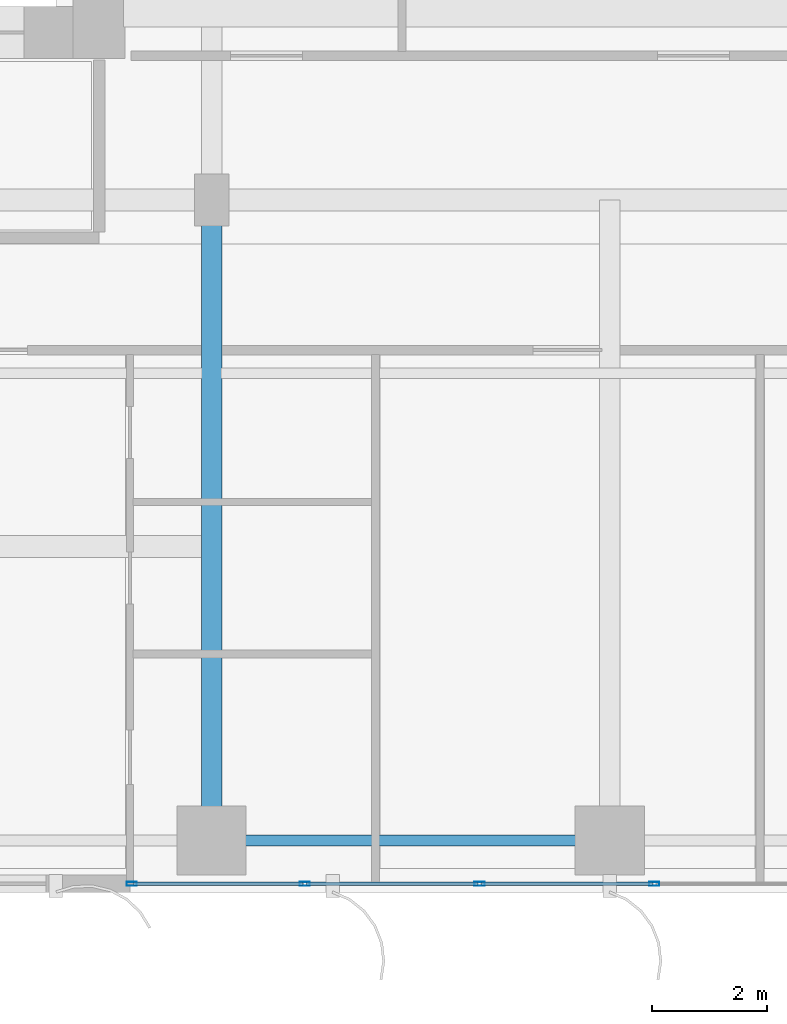
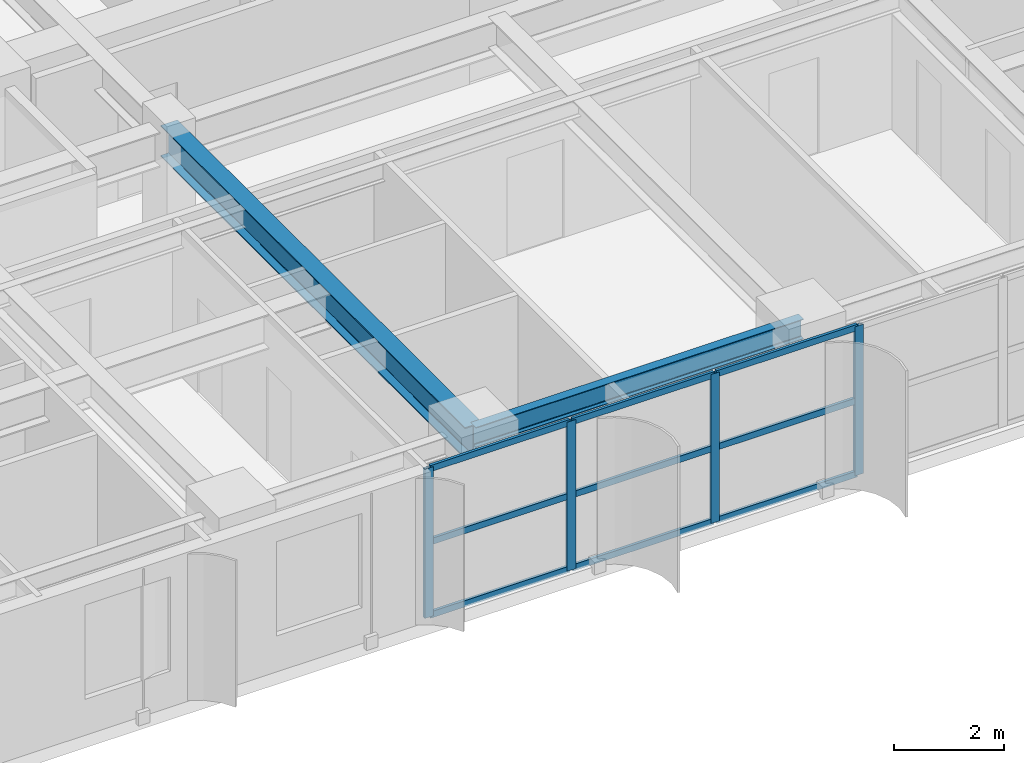
# One storey, part 2 of 23: 13 members, 2 beams, 1 element without a shape of its own.
"""IFC4 building model written with IfcOpenShell, lengths in metres."""

from ifc_helpers import new_model, si_unit, direction, frame, origin, origin_2d, place, context, subcontext, project, spatial, hollow_rectangle, i_section, extrude, source, transform, mapped, material, layer, layer_set, material_profile, profile_set, type_object, element, aggregate, save


model = new_model("IFC4")

# Units and contexts
model_context = context("Model", 3, precision=1e-05, world=origin(), true_north=direction((0.0, 1.0)))
body_context = subcontext(model_context, "Body", "Model", "MODEL_VIEW")
ifc_project = project(units=[si_unit("LENGTHUNIT", "METRE"), si_unit("AREAUNIT", "SQUARE_METRE"), si_unit("VOLUMEUNIT", "CUBIC_METRE"), si_unit("PLANEANGLEUNIT", "RADIAN"), si_unit("MASSUNIT", "GRAM", prefix="KILO")], contexts=[model_context])

# Site, building, storey
site_placement = place(None, origin())
site = spatial("IfcSite", under=ifc_project, at=site_placement, CompositionType="ELEMENT")
building_placement = place(site_placement, origin())
building = spatial("IfcBuilding", under=site, at=building_placement, Name="Khoralis Quay Care Tower", CompositionType="ELEMENT")
storey_placement = place(building_placement, frame((0.0, 0.0, 36.89990234375)))
storey = spatial("IfcBuildingStorey", under=building, at=storey_placement, Name="L09", CompositionType="ELEMENT", Elevation=36.89990234375)

# Beams
ifc_material_1 = material(Name="Steel S355", Category="steel")
ifc_material_profile_1 = material_profile(ifc_material_1, i_section(OverallWidth=0.18994140625, OverallDepth=0.449951171875, WebThickness=0.009521484375, FlangeThickness=0.0146484375, FilletRadius=0.02099609375, at=origin_2d()), Name="Steel S355")
ifc_profile_set_1 = profile_set([ifc_material_profile_1], Name="Steel S355")
beam_type_1 = type_object("IfcBeamType", Name="BM-IPE450", PredefinedType="SPANDREL", material=ifc_profile_set_1)
shared_shape_1 = source(origin(), body_context, "Body", "SweptSolid", [
    extrude(i_section(OverallWidth=0.18994140625, OverallDepth=0.449951171875, WebThickness=0.009521484375, FlangeThickness=0.0146484375, FilletRadius=0.02099609375, at=origin_2d()), origin(), (0.0, 0.0, 1.0), 6.89990234375),
])
beam_1_placement = place(storey_placement, frame((17.10009765625, 0.89990234375, 3.09521484375), z_axis=(1.0, 0.0, 0.0), x_axis=(0.0, 1.0, 0.0)))
element("IfcBeam", 1, at=beam_1_placement, inside=storey, type_object=beam_type_1, Name="BM-TSP-L09-03", PredefinedType="SPANDREL", context=body_context, shape_type="MappedRepresentation", body=[
    mapped(shared_shape_1, transform((0.0, 0.0, 0.0), scale=1.0)),
])
ifc_material_profile_2 = material_profile(ifc_material_1, i_section(OverallWidth=0.35498046875, OverallDepth=0.695068359375, WebThickness=0.015380859375, FlangeThickness=0.02490234375, FilletRadius=0.02001953125, at=origin_2d()), Name="Steel S355")
ifc_profile_set_2 = profile_set([ifc_material_profile_2], Name="Steel S355")
beam_type_2 = type_object("IfcBeamType", Name="BM-W690X217", PredefinedType="BEAM", material=ifc_profile_set_2)
shared_shape_2 = source(origin(), body_context, "Body", "SweptSolid", [
    extrude(i_section(OverallWidth=0.35498046875, OverallDepth=0.695068359375, WebThickness=0.015380859375, FlangeThickness=0.02490234375, FilletRadius=0.02001953125, at=origin_2d()), origin(), (0.0, 0.0, 1.0), 11.10009765625),
])
beam_2_placement = place(storey_placement, frame((17.10009765625, 0.89990234375, 2.97265625), z_axis=(0.0, 1.0, 0.0), x_axis=(-1.0, 0.0, 0.0)))
element("IfcBeam", 2, at=beam_2_placement, inside=storey, type_object=beam_type_2, Name="BM-TGYS-L09-171", PredefinedType="BEAM", context=body_context, shape_type="MappedRepresentation", body=[
    mapped(shared_shape_2, transform((0.0, 0.0, 0.0), scale=1.0)),
])

# Curtain wall, members
ifc_material_2 = material(Name="Pale anodised aluminium", Category="aluminium")
ifc_layer = layer(ifc_material_2, 0.179931640625)
ifc_layer_set = layer_set([ifc_layer], Name="Pale anodised aluminium")
curtain_wall_type = type_object("IfcCurtainWallType", Name="CW-SYS-Z1", PredefinedType="NOTDEFINED", material=ifc_layer_set)
curtain_wall_placement = place(storey_placement, origin())
curtain_wall = element("IfcCurtainWall", 3, at=curtain_wall_placement, inside=storey, type_object=curtain_wall_type, Name="L09 Unitised Curtain Wall CW-L09-P1-E0", PredefinedType="NOTDEFINED")
ifc_material_profile_3 = material_profile(ifc_material_2, hollow_rectangle(XDim=0.06494140625, YDim=0.179931640625, WallThickness=0.00390625, at=origin_2d()), Name="Pale anodised aluminium")
ifc_profile_set_3 = profile_set([ifc_material_profile_3], Name="Pale anodised aluminium")
member_type_1 = type_object("IfcMemberType", Name="CW-MUL-180", PredefinedType="MULLION", material=ifc_profile_set_3)
shared_shape_3 = source(origin(), body_context, "Body", "SweptSolid", [
    extrude(hollow_rectangle(XDim=0.06494140625, YDim=0.179931640625, WallThickness=0.00390625, at=origin_2d()), origin(), (0.0, 0.0, 1.0), 3.320068359375),
])
member_1_placement = place(storey_placement, frame((15.717041015625, 0.14990234375, 0.0), z_axis=(0.0, 0.0, 1.0), x_axis=(0.0, 1.0, 0.0)))
member_1 = element("IfcMember", 4, at=member_1_placement, type_object=member_type_1, Name="CW1 mullion 1", PredefinedType="MULLION", context=body_context, shape_type="MappedRepresentation", body=[
    mapped(shared_shape_3, transform((0.0, 0.0, 0.0), scale=1.0)),
])
member_2_placement = place(storey_placement, frame((18.715087890625, 0.14990234375, 0.0), z_axis=(0.0, 0.0, 1.0), x_axis=(0.0, 1.0, 0.0)))
member_2 = element("IfcMember", 5, at=member_2_placement, type_object=member_type_1, Name="CW1 mullion 2", PredefinedType="MULLION", context=body_context, shape_type="MappedRepresentation", body=[
    mapped(shared_shape_3, transform((0.0, 0.0, 0.0), scale=1.0)),
])
member_3_placement = place(storey_placement, frame((21.743408203125, 0.14990234375, 0.0), z_axis=(0.0, 0.0, 1.0), x_axis=(0.0, 1.0, 0.0)))
member_3 = element("IfcMember", 6, at=member_3_placement, type_object=member_type_1, Name="CW1 mullion 3", PredefinedType="MULLION", context=body_context, shape_type="MappedRepresentation", body=[
    mapped(shared_shape_3, transform((0.0, 0.0, 0.0), scale=1.0)),
])
member_4_placement = place(storey_placement, frame((24.771484375, 0.14990234375, 0.0), z_axis=(0.0, 0.0, 1.0), x_axis=(0.0, 1.0, 0.0)))
member_4 = element("IfcMember", 7, at=member_4_placement, type_object=member_type_1, Name="CW1 mullion 4", PredefinedType="MULLION", context=body_context, shape_type="MappedRepresentation", body=[
    mapped(shared_shape_3, transform((0.0, 0.0, 0.0), scale=1.0)),
])
ifc_material_profile_4 = material_profile(ifc_material_2, hollow_rectangle(XDim=0.06005859375, YDim=0.139892578125, WallThickness=0.00390625, at=origin_2d()), Name="Pale anodised aluminium")
ifc_profile_set_4 = profile_set([ifc_material_profile_4], Name="Pale anodised aluminium")
member_type_2 = type_object("IfcMemberType", Name="CW-TRN-140", PredefinedType="USERDEFINED", material=ifc_profile_set_4)
shared_shape_4 = source(origin(), body_context, "Body", "SweptSolid", [
    extrude(hollow_rectangle(XDim=0.06005859375, YDim=0.139892578125, WallThickness=0.00390625, at=origin_2d()), origin(), (0.0, 0.0, 1.0), 2.938232421875),
])
member_5_placement = place(storey_placement, frame((15.7470703125, 0.14990234375, 0.030029296875), z_axis=(1.0, 0.0, 0.0), x_axis=(0.0, 1.0, 0.0)))
member_5 = element("IfcMember", 8, at=member_5_placement, type_object=member_type_2, Name="CW1 transom 1.1", ObjectType="TRANSOM", PredefinedType="USERDEFINED", context=body_context, shape_type="MappedRepresentation", body=[
    mapped(shared_shape_4, transform((0.0, 0.0, 0.0), scale=1.0)),
])
member_6_placement = place(storey_placement, frame((15.7470703125, 0.14990234375, 1.66015625), z_axis=(1.0, 0.0, 0.0), x_axis=(0.0, 1.0, 0.0)))
member_6 = element("IfcMember", 9, at=member_6_placement, type_object=member_type_2, Name="CW1 transom 1.2", ObjectType="TRANSOM", PredefinedType="USERDEFINED", context=body_context, shape_type="MappedRepresentation", body=[
    mapped(shared_shape_4, transform((0.0, 0.0, 0.0), scale=1.0)),
])
member_7_placement = place(storey_placement, frame((15.7470703125, 0.14990234375, 3.2900390625), z_axis=(1.0, 0.0, 0.0), x_axis=(0.0, 1.0, 0.0)))
member_7 = element("IfcMember", 10, at=member_7_placement, type_object=member_type_2, Name="CW1 transom 1.3", ObjectType="TRANSOM", PredefinedType="USERDEFINED", context=body_context, shape_type="MappedRepresentation", body=[
    mapped(shared_shape_4, transform((0.0, 0.0, 0.0), scale=1.0)),
])
shared_shape_5 = source(origin(), body_context, "Body", "SweptSolid", [
    extrude(hollow_rectangle(XDim=0.06005859375, YDim=0.139892578125, WallThickness=0.00390625, at=origin_2d()), origin(), (0.0, 0.0, 1.0), 2.96826171875),
])
member_8_placement = place(storey_placement, frame((18.7451171875, 0.14990234375, 0.030029296875), z_axis=(1.0, 0.0, 0.0), x_axis=(0.0, 1.0, 0.0)))
member_8 = element("IfcMember", 11, at=member_8_placement, type_object=member_type_2, Name="CW1 transom 2.1", ObjectType="TRANSOM", PredefinedType="USERDEFINED", context=body_context, shape_type="MappedRepresentation", body=[
    mapped(shared_shape_5, transform((0.0, 0.0, 0.0), scale=1.0)),
])
member_9_placement = place(storey_placement, frame((18.7451171875, 0.14990234375, 1.66015625), z_axis=(1.0, 0.0, 0.0), x_axis=(0.0, 1.0, 0.0)))
member_9 = element("IfcMember", 12, at=member_9_placement, type_object=member_type_2, Name="CW1 transom 2.2", ObjectType="TRANSOM", PredefinedType="USERDEFINED", context=body_context, shape_type="MappedRepresentation", body=[
    mapped(shared_shape_5, transform((0.0, 0.0, 0.0), scale=1.0)),
])
member_10_placement = place(storey_placement, frame((18.7451171875, 0.14990234375, 3.2900390625), z_axis=(1.0, 0.0, 0.0), x_axis=(0.0, 1.0, 0.0)))
member_10 = element("IfcMember", 13, at=member_10_placement, type_object=member_type_2, Name="CW1 transom 2.3", ObjectType="TRANSOM", PredefinedType="USERDEFINED", context=body_context, shape_type="MappedRepresentation", body=[
    mapped(shared_shape_5, transform((0.0, 0.0, 0.0), scale=1.0)),
])
member_11_placement = place(storey_placement, frame((21.7734375, 0.14990234375, 0.030029296875), z_axis=(1.0, 0.0, 0.0), x_axis=(0.0, 1.0, 0.0)))
member_11 = element("IfcMember", 14, at=member_11_placement, type_object=member_type_2, Name="CW1 transom 3.1", ObjectType="TRANSOM", PredefinedType="USERDEFINED", context=body_context, shape_type="MappedRepresentation", body=[
    mapped(shared_shape_5, transform((0.0, 0.0, 0.0), scale=1.0)),
])
member_12_placement = place(storey_placement, frame((21.7734375, 0.14990234375, 1.66015625), z_axis=(1.0, 0.0, 0.0), x_axis=(0.0, 1.0, 0.0)))
member_12 = element("IfcMember", 15, at=member_12_placement, type_object=member_type_2, Name="CW1 transom 3.2", ObjectType="TRANSOM", PredefinedType="USERDEFINED", context=body_context, shape_type="MappedRepresentation", body=[
    mapped(shared_shape_5, transform((0.0, 0.0, 0.0), scale=1.0)),
])
member_13_placement = place(storey_placement, frame((21.7734375, 0.14990234375, 3.2900390625), z_axis=(1.0, 0.0, 0.0), x_axis=(0.0, 1.0, 0.0)))
member_13 = element("IfcMember", 16, at=member_13_placement, type_object=member_type_2, Name="CW1 transom 3.3", ObjectType="TRANSOM", PredefinedType="USERDEFINED", context=body_context, shape_type="MappedRepresentation", body=[
    mapped(shared_shape_5, transform((0.0, 0.0, 0.0), scale=1.0)),
])
aggregate(curtain_wall, [member_1, member_2, member_3, member_4, member_5, member_6, member_7, member_8, member_9, member_10, member_11, member_12, member_13])

save(model, "model.ifc")
